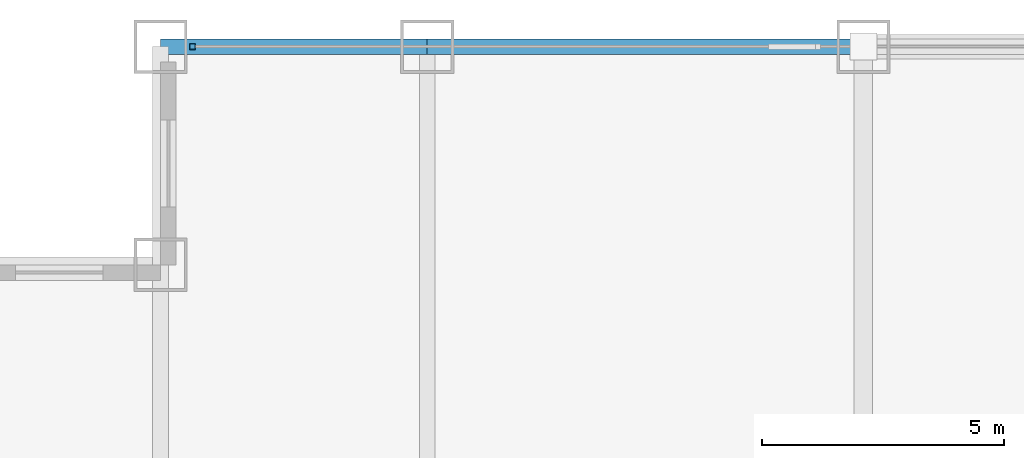
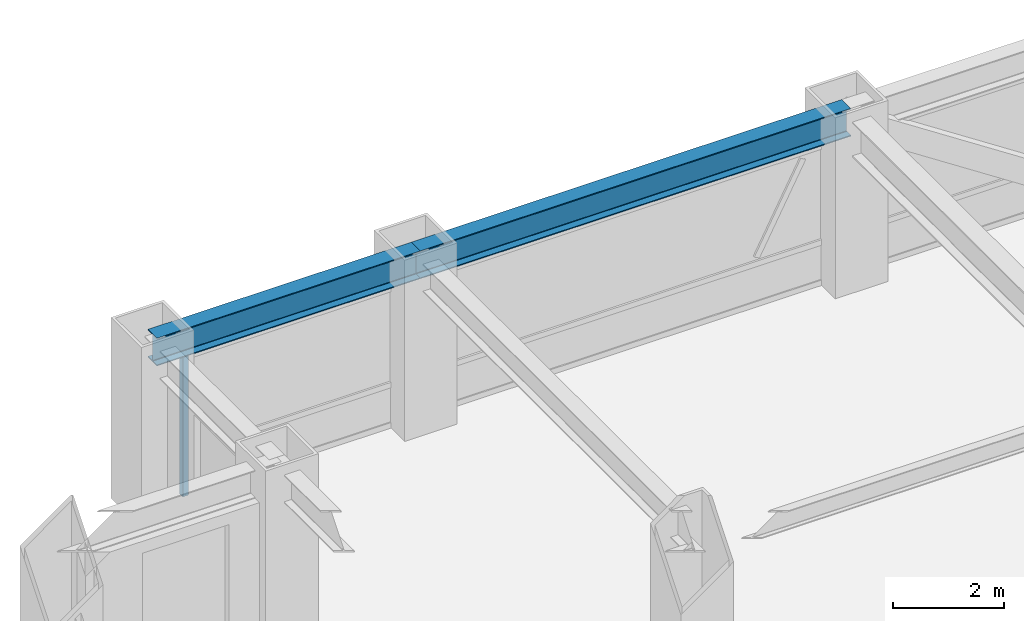
# One storey, part 14 of 24: 2 beams, 1 member, 1 element without a shape of its own.
"""IFC4 building model written with IfcOpenShell, lengths in metres."""

from ifc_helpers import new_model, si_unit, direction, frame, origin, origin_2d, place, context, subcontext, project, spatial, hollow_rectangle, i_section, extrude, source, transform, mapped, material, material_profile, profile_set, type_object, element, aggregate, save


model = new_model("IFC4")

# Units and contexts
model_context = context("Model", 3, precision=1e-05, world=origin(), true_north=direction((0.0, 1.0)))
body_context = subcontext(model_context, "Body", "Model", "MODEL_VIEW")
ifc_project = project(units=[si_unit("LENGTHUNIT", "METRE"), si_unit("AREAUNIT", "SQUARE_METRE"), si_unit("VOLUMEUNIT", "CUBIC_METRE"), si_unit("PLANEANGLEUNIT", "RADIAN"), si_unit("MASSUNIT", "GRAM", prefix="KILO")], contexts=[model_context])

# Site, building, storey
site_placement = place(None, origin())
site = spatial("IfcSite", under=ifc_project, at=site_placement, CompositionType="ELEMENT")
building_placement = place(site_placement, origin())
building = spatial("IfcBuilding", under=site, at=building_placement, Name="Khorayat Bourse Tower", CompositionType="ELEMENT")
storey_placement = place(building_placement, frame((0.0, 0.0, 159.10009765625)))
storey = spatial("IfcBuildingStorey", under=building, at=storey_placement, Name="L36", CompositionType="ELEMENT", Elevation=159.10009765625)

# Beams
ifc_material_1 = material(Name="Steel ASTM A992 Grade 50", Category="steel")
ifc_material_profile_1 = material_profile(ifc_material_1, i_section(OverallWidth=0.324951171875, OverallDepth=0.615966796875, WebThickness=0.013916015625, FlangeThickness=0.021484375, FilletRadius=0.01611328125, at=origin_2d()), Name="W610X174")
ifc_profile_set_1 = profile_set([ifc_material_profile_1], Name="Steel ASTM A992 Grade 50")
beam_type = type_object("IfcBeamType", Name="BM-SPAN-610", PredefinedType="SPANDREL", material=ifc_profile_set_1)
shared_shape_1 = source(origin(), body_context, "Body", "SweptSolid", [
    extrude(i_section(OverallWidth=0.324951171875, OverallDepth=0.615966796875, WebThickness=0.013916015625, FlangeThickness=0.021484375, FilletRadius=0.01611328125, at=origin_2d()), origin(), (0.0, 0.0, 1.0), 5.5),
])
beam_1_placement = place(storey_placement, frame((-25.5, 30.0, 3.471923828125), z_axis=(1.0, 0.0, 0.0), x_axis=(0.0, 1.0, 0.0)))
element("IfcBeam", 1, at=beam_1_placement, inside=storey, type_object=beam_type, Name="L36 BM-SPAN-610 BM-L36-SPN-051", PredefinedType="SPANDREL", context=body_context, shape_type="MappedRepresentation", body=[
    mapped(shared_shape_1, transform((0.0, 0.0, 0.0), scale=1.0)),
])
shared_shape_2 = source(origin(), body_context, "Body", "SweptSolid", [
    extrude(i_section(OverallWidth=0.324951171875, OverallDepth=0.615966796875, WebThickness=0.013916015625, FlangeThickness=0.021484375, FilletRadius=0.01611328125, at=origin_2d()), origin(), (0.0, 0.0, 1.0), 9.0),
])
beam_2_placement = place(storey_placement, frame((-20.0, 30.0, 3.471923828125), z_axis=(1.0, 0.0, 0.0), x_axis=(0.0, 1.0, 0.0)))
element("IfcBeam", 2, at=beam_2_placement, inside=storey, type_object=beam_type, Name="L36 BM-SPAN-610 BM-L36-SPN-050", PredefinedType="SPANDREL", context=body_context, shape_type="MappedRepresentation", body=[
    mapped(shared_shape_2, transform((0.0, 0.0, 0.0), scale=1.0)),
])

# Curtain wall, member
ifc_material_2 = material(Name="Aluminium EN AW-6063 T6", Category="aluminium")
curtain_wall_type = type_object("IfcCurtainWallType", Name="CW-SYS-03", PredefinedType="NOTDEFINED", material=ifc_material_2)
curtain_wall_placement = place(storey_placement, origin())
curtain_wall = element("IfcCurtainWall", 3, at=curtain_wall_placement, inside=storey, type_object=curtain_wall_type, Name="L36 Curtain Wall CW-L36-N1", PredefinedType="NOTDEFINED")
ifc_material_profile_2 = material_profile(ifc_material_2, hollow_rectangle(XDim=0.1201171875, YDim=0.1201171875, WallThickness=0.0048828125, at=origin_2d()), Name="ALU 120x120x5")
ifc_profile_set_2 = profile_set([ifc_material_profile_2], Name="Aluminium EN AW-6063 T6")
member_type = type_object("IfcMemberType", Name="CWM-VERT-120", PredefinedType="MULLION", material=ifc_profile_set_2)
shared_shape_3 = source(origin(), body_context, "Body", "SweptSolid", [
    extrude(hollow_rectangle(XDim=0.1201171875, YDim=0.1201171875, WallThickness=0.0048828125, at=origin_2d()), origin(), (0.0, 0.0, 1.0), 3.1298828125),
])
member_placement = place(storey_placement, frame((-24.840087890625, 30.0, 0.0), z_axis=(0.0, 0.0, 1.0), x_axis=(0.0, 1.0, 0.0)))
member = element("IfcMember", 4, at=member_placement, type_object=member_type, Name="CW-L36-N1 Vertical Mullion 1", PredefinedType="MULLION", context=body_context, shape_type="MappedRepresentation", body=[
    mapped(shared_shape_3, transform((0.0, 0.0, 0.0), scale=1.0)),
])
aggregate(curtain_wall, [member])

save(model, "model.ifc")
